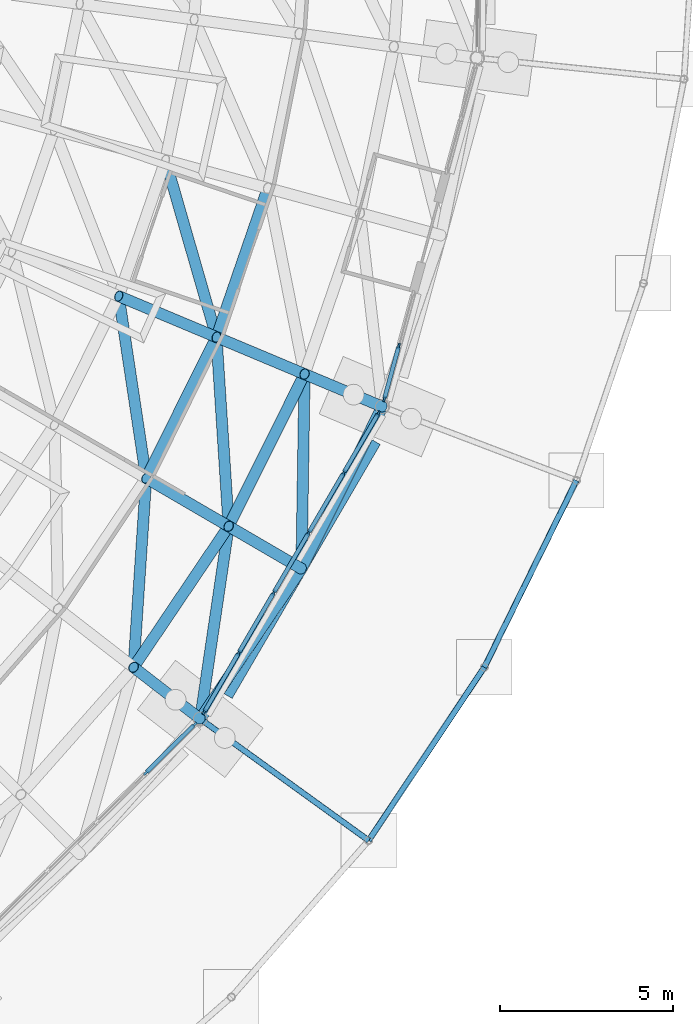
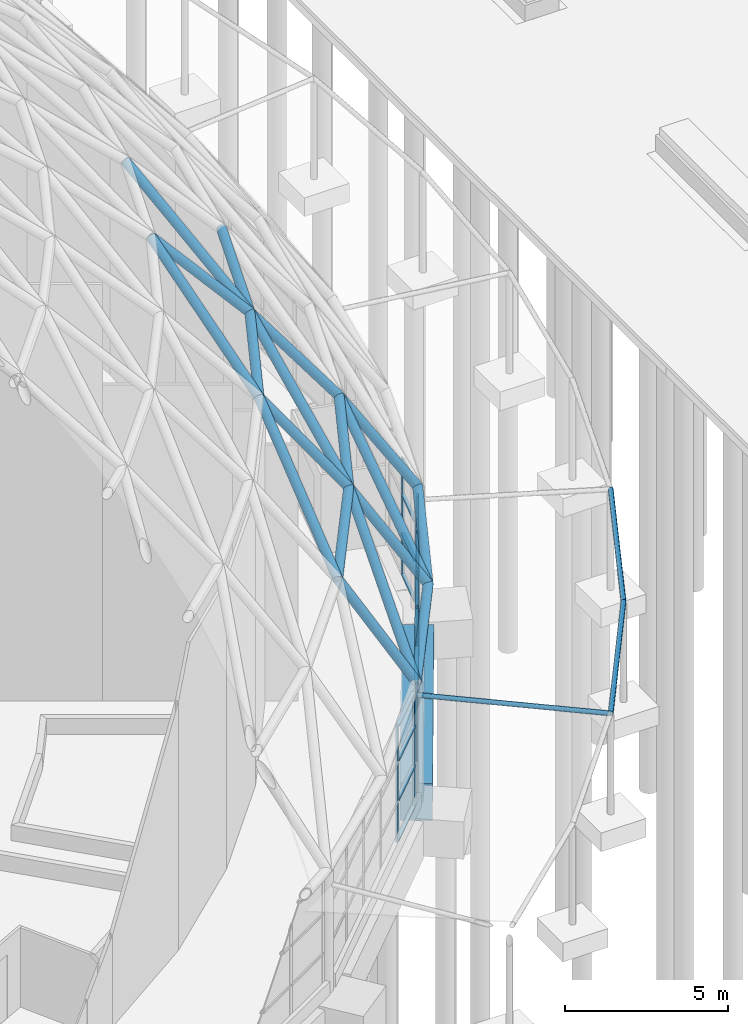
# One storey, part 105 of 226: 59 members, 1 beam, 3 elements without a shape of their own.
"""IFC4 building model written with IfcOpenShell, lengths in metres."""

from ifc_helpers import new_model, si_unit, direction, frame, origin, origin_2d, place, context, subcontext, project, spatial, rectangle, hollow_circle, extrude, material, material_profile, profile_set, type_object, element, aggregate, save


model = new_model("IFC4")

# Units and contexts
model_context = context("Model", 3, precision=1e-05, world=origin(), true_north=direction((0.0, 1.0)))
body_context = subcontext(model_context, "Body", "Model", "MODEL_VIEW")
ifc_project = project(units=[si_unit("LENGTHUNIT", "METRE"), si_unit("AREAUNIT", "SQUARE_METRE"), si_unit("VOLUMEUNIT", "CUBIC_METRE"), si_unit("PLANEANGLEUNIT", "RADIAN"), si_unit("MASSUNIT", "GRAM", prefix="KILO")], contexts=[model_context])

# Site, building, storey
site_placement = place(None, origin())
site = spatial("IfcSite", under=ifc_project, at=site_placement, CompositionType="ELEMENT")
building_placement = place(site_placement, origin())
building = spatial("IfcBuilding", under=site, at=building_placement, Name="Ceibo Conservatory and Research Tower", CompositionType="ELEMENT")
storey_placement = place(building_placement, origin())
storey = spatial("IfcBuildingStorey", under=building, at=storey_placement, Name="L00", CompositionType="ELEMENT", Elevation=0.0)

# Members
ifc_material_1 = material(Name="Steel ASTM A500 Gr C", Category="steel")
ifc_material_profile_1 = material_profile(ifc_material_1, hollow_circle(Radius=0.084228515625, WallThickness=0.007080078125, at=origin_2d()), Name="CHS 168.3x7.11")
ifc_profile_set_1 = profile_set([ifc_material_profile_1], Name="Steel ASTM A500 Gr C")
member_type_1 = type_object("IfcMemberType", Name="CHS 168.3x7.11", PredefinedType="NOTDEFINED", material=ifc_profile_set_1)
member_1_placement = place(storey_placement, frame((187.627685546875, 83.51123046875, 4.0), z_axis=(0.809882061204, -0.584831304318, -0.045424579563), x_axis=(0.585435607909, 0.810718908743, 0.0)))
element("IfcMember", 1, at=member_1_placement, inside=storey, type_object=member_type_1, Name="Brim brace bracket A-BK22", PredefinedType="BRACE", context=body_context, shape_type="SweptSolid", body=[
    extrude(hollow_circle(Radius=0.084228515625, WallThickness=0.007080078125, at=origin_2d()), origin(), (0.0, 0.0, 1.0), 6.0087890625),
])
for number, where, z_axis, x_axis, name in (
    (2, (192.494140625, 79.9970703125, 3.72705078125), (0.555587224201, 0.831453545486, -0.002799643502), (-0.831456803973, 0.555589401562, 0.0), "Brim tip ring A-TR26"),
    (3, (195.837158203125, 85.0, 3.710205078125), (0.44230371622, 0.896860961684, 0.00279964741), (-0.896864476514, 0.442305449624, 0.0), "Brim tip ring A-TR27"),
):
    element("IfcMember", number, at=place(storey_placement, frame(where, z_axis=z_axis, x_axis=x_axis)), inside=storey, type_object=member_type_1, Name=name, PredefinedType="CHORD", context=body_context, shape_type="SweptSolid", body=[
        extrude(hollow_circle(Radius=0.084228515625, WallThickness=0.007080078125, at=origin_2d()), origin(), (0.0, 0.0, 1.0), 6.01708984375),
    ])
ifc_material_profile_2 = material_profile(ifc_material_1, hollow_circle(Radius=0.161865234375, WallThickness=0.01025390625, at=origin_2d()), Name="CHS 323.9x10.31")
ifc_profile_set_2 = profile_set([ifc_material_profile_2], Name="Steel ASTM A500 Gr C")
member_type_2 = type_object("IfcMemberType", Name="CHS 323.9x10.31", PredefinedType="NOTDEFINED", material=ifc_profile_set_2)
member_2_placement = place(storey_placement, frame((185.701904296875, 85.001953125, 8.115966796875), z_axis=(0.559209169771, 0.829026600565, 0.0), x_axis=(-0.829026600565, 0.559209169771, 0.0)))
element("IfcMember", 4, at=member_2_placement, inside=storey, type_object=member_type_2, Name="Gridshell member A-C02-43", PredefinedType="CHORD", context=body_context, shape_type="SweptSolid", body=[
    extrude(hollow_circle(Radius=0.161865234375, WallThickness=0.01025390625, at=origin_2d()), origin(), (0.0, 0.0, 1.0), 4.9140625),
])
member_3_placement = place(storey_placement, frame((188.449951171875, 89.075927734375, 8.115966796875), z_axis=(0.446179714315, 0.8949433851, 0.0), x_axis=(-0.8949433851, 0.446179714315, 0.0)))
element("IfcMember", 5, at=member_3_placement, inside=storey, type_object=member_type_2, Name="Gridshell member A-C02-44", PredefinedType="CHORD", context=body_context, shape_type="SweptSolid", body=[
    extrude(hollow_circle(Radius=0.161865234375, WallThickness=0.01025390625, at=origin_2d()), origin(), (0.0, 0.0, 1.0), 4.9130859375),
])
member_4_placement = place(storey_placement, frame((186.06591796875, 90.466064453125, 11.489013671875), z_axis=(0.446076460537, 0.894994855491, 0.0), x_axis=(-0.894994855491, 0.446076460537, 0.0)))
element("IfcMember", 6, at=member_4_placement, inside=storey, type_object=member_type_2, Name="Gridshell member A-C03-44", PredefinedType="CHORD", context=body_context, shape_type="SweptSolid", body=[
    extrude(hollow_circle(Radius=0.161865234375, WallThickness=0.01025390625, at=origin_2d()), origin(), (0.0, 0.0, 1.0), 4.552978515625),
])
member_5_placement = place(storey_placement, frame((188.096923828125, 94.541015625, 11.489013671875), z_axis=(0.325608838812, 0.945504565873, 0.0), x_axis=(-0.945504565873, 0.325608838812, 0.0)))
element("IfcMember", 7, at=member_5_placement, inside=storey, type_object=member_type_2, Name="Gridshell member A-C03-45", PredefinedType="CHORD", context=body_context, shape_type="SweptSolid", body=[
    extrude(hollow_circle(Radius=0.161865234375, WallThickness=0.01025390625, at=origin_2d()), origin(), (0.0, 0.0, 1.0), 4.552001953125),
])
ifc_material_profile_3 = material_profile(ifc_material_1, hollow_circle(Radius=0.161865234375, WallThickness=0.01416015625, at=origin_2d()), Name="CHS 323.9x14.27")
ifc_profile_set_3 = profile_set([ifc_material_profile_3], Name="Steel ASTM A500 Gr C")
member_type_3 = type_object("IfcMemberType", Name="CHS 323.9x14.27", PredefinedType="NOTDEFINED", material=ifc_profile_set_3)
member_6_placement = place(storey_placement, frame((187.6279296875, 83.510986328125, 4.5), z_axis=(-0.441770187879, 0.341981307818, 0.829390068788), x_axis=(-0.612134780831, -0.790753444568, 0.0)))
element("IfcMember", 8, at=member_6_placement, inside=storey, type_object=member_type_3, Name="Gridshell member A-M43-01", PredefinedType="RAFTER", context=body_context, shape_type="SweptSolid", body=[
    extrude(hollow_circle(Radius=0.161865234375, WallThickness=0.01416015625, at=origin_2d()), origin(), (0.0, 0.0, 1.0), 4.35986328125),
])
member_7_placement = place(storey_placement, frame((190.552978515625, 87.84912109375, 4.5), z_axis=(-0.482429547235, 0.281426570102, 0.829494314384), x_axis=(-0.503883494942, -0.863771626951, 0.0)))
element("IfcMember", 9, at=member_7_placement, inside=storey, type_object=member_type_3, Name="Gridshell member A-M44-01", PredefinedType="RAFTER", context=body_context, shape_type="SweptSolid", body=[
    extrude(hollow_circle(Radius=0.161865234375, WallThickness=0.01416015625, at=origin_2d()), origin(), (0.0, 0.0, 1.0), 4.359130859375),
])
member_8_placement = place(storey_placement, frame((192.887939453125, 92.531982421875, 4.5), z_axis=(-0.515173818926, 0.215836492895, 0.829464010448), x_axis=(-0.386415837187, -0.922324672103, 0.0)))
element("IfcMember", 10, at=member_8_placement, inside=storey, type_object=member_type_3, Name="Gridshell member A-M45-01", PredefinedType="RAFTER", context=body_context, shape_type="SweptSolid", body=[
    extrude(hollow_circle(Radius=0.161865234375, WallThickness=0.01416015625, at=origin_2d()), origin(), (0.0, 0.0, 1.0), 4.359375),
])
member_9_placement = place(storey_placement, frame((188.449951171875, 89.075927734375, 8.115966796875), z_axis=(-0.547027734795, 0.318973468707, 0.773961616378), x_axis=(-0.503722506061, -0.863865520141, 0.0)))
element("IfcMember", 11, at=member_9_placement, inside=storey, type_object=member_type_3, Name="Gridshell member A-M44-02", PredefinedType="RAFTER", context=body_context, shape_type="SweptSolid", body=[
    extrude(hollow_circle(Radius=0.161865234375, WallThickness=0.01416015625, at=origin_2d()), origin(), (0.0, 0.0, 1.0), 4.358154296875),
])
member_10_placement = place(storey_placement, frame((190.64208984375, 93.472900390625, 8.115966796875), z_axis=(-0.583959752241, 0.245067042307, 0.773907715776), x_axis=(-0.386969313659, -0.92209259312, 0.0)))
element("IfcMember", 12, at=member_10_placement, inside=storey, type_object=member_type_3, Name="Gridshell member A-M45-02", PredefinedType="RAFTER", context=body_context, shape_type="SweptSolid", body=[
    extrude(hollow_circle(Radius=0.161865234375, WallThickness=0.01416015625, at=origin_2d()), origin(), (0.0, 0.0, 1.0), 4.3583984375),
])
member_11_placement = place(storey_placement, frame((188.096923828125, 94.541015625, 11.489013671875), z_axis=(-0.647870994768, 0.271649894063, 0.711666712158), x_axis=(-0.386680743983, -0.922213642402, 0.0)))
element("IfcMember", 13, at=member_11_placement, inside=storey, type_object=member_type_3, Name="Gridshell member A-M45-03", PredefinedType="RAFTER", context=body_context, shape_type="SweptSolid", body=[
    extrude(hollow_circle(Radius=0.161865234375, WallThickness=0.01416015625, at=origin_2d()), origin(), (0.0, 0.0, 1.0), 4.35888671875),
])
ifc_material_2 = material(Name="Steel S355J2H", Category="steel")
ifc_material_profile_4 = material_profile(ifc_material_2, hollow_circle(Radius=0.161865234375, WallThickness=0.025390625, at=origin_2d()), Name="CHS 323.9x25.40")
ifc_profile_set_4 = profile_set([ifc_material_profile_4], Name="Steel S355J2H")
member_type_4 = type_object("IfcMemberType", Name="CHS 323.9x25.40", PredefinedType="NOTDEFINED", material=ifc_profile_set_4)
member_12_placement = place(storey_placement, frame((187.6279296875, 83.510986328125, 4.5), z_axis=(0.55905364974, 0.829131483368, 0.0), x_axis=(-0.829131483368, 0.55905364974, 0.0)))
element("IfcMember", 14, at=member_12_placement, inside=storey, type_object=member_type_4, Name="Gridshell member A-C01-43", PredefinedType="CHORD", context=body_context, shape_type="SweptSolid", body=[
    extrude(hollow_circle(Radius=0.161865234375, WallThickness=0.025390625, at=origin_2d()), origin(), (0.0, 0.0, 1.0), 5.232177734375),
])
member_13_placement = place(storey_placement, frame((190.552978515625, 87.84912109375, 4.5), z_axis=(0.446224201059, 0.89492120457, 0.0), x_axis=(-0.89492120457, 0.446224201059, 0.0)))
element("IfcMember", 15, at=member_13_placement, inside=storey, type_object=member_type_4, Name="Gridshell member A-C01-44", PredefinedType="CHORD", context=body_context, shape_type="SweptSolid", body=[
    extrude(hollow_circle(Radius=0.161865234375, WallThickness=0.025390625, at=origin_2d()), origin(), (0.0, 0.0, 1.0), 5.232666015625),
])
ifc_material_profile_5 = material_profile(ifc_material_1, hollow_circle(Radius=0.161865234375, WallThickness=0.00830078125, at=origin_2d()), Name="CHS 323.9x8.38")
ifc_profile_set_5 = profile_set([ifc_material_profile_5], Name="Steel ASTM A500 Gr C")
member_type_5 = type_object("IfcMemberType", Name="CHS 323.9x8.38", PredefinedType="NOTDEFINED", material=ifc_profile_set_5)
member_14_placement = place(storey_placement, frame((187.6279296875, 83.510986328125, 4.5), z_axis=(0.122923427068, 0.832170061354, 0.540724347579), x_axis=(-0.989265589959, 0.146128684803, 0.0)))
element("IfcMember", 16, at=member_14_placement, inside=storey, type_object=member_type_5, Name="Gridshell diagonal member A-D01-43", PredefinedType="BRACE", context=body_context, shape_type="SweptSolid", body=[
    extrude(hollow_circle(Radius=0.161865234375, WallThickness=0.00830078125, at=origin_2d()), origin(), (0.0, 0.0, 1.0), 6.687255859375),
])
member_15_placement = place(storey_placement, frame((190.552978515625, 87.84912109375, 4.5), z_axis=(0.013326936774, 0.84105750298, 0.540781535777), x_axis=(-0.999874484452, 0.015843463722, 0.0)))
element("IfcMember", 17, at=member_15_placement, inside=storey, type_object=member_type_5, Name="Gridshell diagonal member A-D01-44", PredefinedType="BRACE", context=body_context, shape_type="SweptSolid", body=[
    extrude(hollow_circle(Radius=0.161865234375, WallThickness=0.00830078125, at=origin_2d()), origin(), (0.0, 0.0, 1.0), 6.6865234375),
])
member_16_placement = place(storey_placement, frame((185.701904296875, 85.001953125, 8.115966796875), z_axis=(0.056597011166, 0.84956251301, 0.524442861344), x_axis=(-0.997788312977, 0.0664716668, 0.0)))
element("IfcMember", 18, at=member_16_placement, inside=storey, type_object=member_type_5, Name="Gridshell diagonal member A-D02-43", PredefinedType="BRACE", context=body_context, shape_type="SweptSolid", body=[
    extrude(hollow_circle(Radius=0.161865234375, WallThickness=0.00830078125, at=origin_2d()), origin(), (0.0, 0.0, 1.0), 6.431640625),
])
member_17_placement = place(storey_placement, frame((188.449951171875, 89.075927734375, 8.115966796875), z_axis=(-0.054886997372, 0.849685640512, 0.524425142252), x_axis=(-0.997920131711, -0.064462475339, 0.0)))
element("IfcMember", 19, at=member_17_placement, inside=storey, type_object=member_type_5, Name="Gridshell diagonal member A-D02-44", PredefinedType="BRACE", context=body_context, shape_type="SweptSolid", body=[
    extrude(hollow_circle(Radius=0.161865234375, WallThickness=0.00830078125, at=origin_2d()), origin(), (0.0, 0.0, 1.0), 6.431884765625),
])
member_18_placement = place(storey_placement, frame((186.06591796875, 90.466064453125, 11.489013671875), z_axis=(-0.128790907141, 0.854151764388, 0.50382304992), x_axis=(-0.988822593727, -0.149096875002, 0.0)))
element("IfcMember", 20, at=member_18_placement, inside=storey, type_object=member_type_5, Name="Gridshell diagonal member A-D03-44", PredefinedType="BRACE", context=body_context, shape_type="SweptSolid", body=[
    extrude(hollow_circle(Radius=0.161865234375, WallThickness=0.00830078125, at=origin_2d()), origin(), (0.0, 0.0, 1.0), 6.156982421875),
])
member_19_placement = place(storey_placement, frame((188.096923828125, 94.541015625, 11.489013671875), z_axis=(-0.239092435842, 0.830022339055, 0.503882648831), x_axis=(-0.960927447559, -0.276800362223, 0.0)))
element("IfcMember", 21, at=member_19_placement, inside=storey, type_object=member_type_5, Name="Gridshell diagonal member A-D03-45", PredefinedType="BRACE", context=body_context, shape_type="SweptSolid", body=[
    extrude(hollow_circle(Radius=0.161865234375, WallThickness=0.00830078125, at=origin_2d()), origin(), (0.0, 0.0, 1.0), 6.15625),
])

# Curtain wall, members
ifc_material_3 = material(Name="Aluminium and glass", Category="aluminium")
curtain_wall_type = type_object("IfcCurtainWallType", Name="Drum curtain wall", PredefinedType="NOTDEFINED", material=ifc_material_3)
curtain_wall_1_placement = place(storey_placement, origin())
curtain_wall_1 = element("IfcCurtainWall", 22, at=curtain_wall_1_placement, inside=storey, type_object=curtain_wall_type, Name="Drum curtain wall A-CW21", PredefinedType="NOTDEFINED")
ifc_material_4 = material(Name="Aluminium", Category="aluminium")
ifc_material_profile_6 = material_profile(ifc_material_4, rectangle(XDim=0.06005859375, YDim=0.159912109375, at=origin_2d()), Name="AL 60x160")
ifc_profile_set_6 = profile_set([ifc_material_profile_6], Name="Aluminium")
member_type_6 = type_object("IfcMemberType", Name="Drum mullion 60x160", PredefinedType="MULLION", material=ifc_profile_set_6)
member_20_placement = place(storey_placement, frame((186.057861328125, 81.955078125, 0.0), z_axis=(0.0, 0.0, 1.0), x_axis=(-0.704014749779, 0.71018535052, 0.0)))
member_20 = element("IfcMember", 23, at=member_20_placement, type_object=member_type_6, Name="A-CW21 mullion 5", PredefinedType="MULLION", context=body_context, shape_type="SweptSolid", body=[
    extrude(rectangle(XDim=0.06005859375, YDim=0.159912109375, at=origin_2d()), origin(), (0.0, 0.0, 1.0), 4.338134765625),
])
member_21_placement = place(storey_placement, frame((187.4619140625, 83.34716796875, 0.0), z_axis=(0.0, 0.0, 1.0), x_axis=(-0.704014749779, 0.71018535052, 0.0)))
member_21 = element("IfcMember", 24, at=member_21_placement, type_object=member_type_6, Name="A-CW21 mullion 6", PredefinedType="MULLION", context=body_context, shape_type="SweptSolid", body=[
    extrude(rectangle(XDim=0.06005859375, YDim=0.159912109375, at=origin_2d()), origin(), (0.0, 0.0, 1.0), 4.338134765625),
])

curtain_wall_2_placement = place(storey_placement, origin())
curtain_wall_2 = element("IfcCurtainWall", 25, at=curtain_wall_2_placement, inside=storey, type_object=curtain_wall_type, Name="Drum curtain wall A-CW22", PredefinedType="NOTDEFINED")
member_22_placement = place(storey_placement, frame((187.7451171875, 83.712646484375, 0.0), z_axis=(0.0, 0.0, 1.0), x_axis=(-0.863835508167, 0.503773971965, 0.0)))
member_22 = element("IfcMember", 26, at=member_22_placement, type_object=member_type_6, Name="A-CW22 mullion 1", PredefinedType="MULLION", context=body_context, shape_type="SweptSolid", body=[
    extrude(rectangle(XDim=0.06005859375, YDim=0.159912109375, at=origin_2d()), origin(), (0.0, 0.0, 1.0), 4.338134765625),
])
member_23_placement = place(storey_placement, frame((188.7412109375, 85.420654296875, 0.0), z_axis=(0.0, 0.0, 1.0), x_axis=(-0.863835508167, 0.503773971965, 0.0)))
member_23 = element("IfcMember", 27, at=member_23_placement, type_object=member_type_6, Name="A-CW22 mullion 2", PredefinedType="MULLION", context=body_context, shape_type="SweptSolid", body=[
    extrude(rectangle(XDim=0.06005859375, YDim=0.159912109375, at=origin_2d()), origin(), (0.0, 0.0, 1.0), 4.338134765625),
])
member_24_placement = place(storey_placement, frame((189.752197265625, 87.154541015625, 0.0), z_axis=(0.0, 0.0, 1.0), x_axis=(-0.863835508167, 0.503773971965, 0.0)))
member_24 = element("IfcMember", 28, at=member_24_placement, type_object=member_type_6, Name="A-CW22 mullion 3", PredefinedType="MULLION", context=body_context, shape_type="SweptSolid", body=[
    extrude(rectangle(XDim=0.06005859375, YDim=0.159912109375, at=origin_2d()), origin(), (0.0, 0.0, 1.0), 4.338134765625),
])
member_25_placement = place(storey_placement, frame((190.763427734375, 88.888427734375, 0.0), z_axis=(0.0, 0.0, 1.0), x_axis=(-0.863835508167, 0.503773971965, 0.0)))
member_25 = element("IfcMember", 29, at=member_25_placement, type_object=member_type_6, Name="A-CW22 mullion 4", PredefinedType="MULLION", context=body_context, shape_type="SweptSolid", body=[
    extrude(rectangle(XDim=0.06005859375, YDim=0.159912109375, at=origin_2d()), origin(), (0.0, 0.0, 1.0), 4.338134765625),
])
member_26_placement = place(storey_placement, frame((191.7744140625, 90.622314453125, 0.0), z_axis=(0.0, 0.0, 1.0), x_axis=(-0.863835508167, 0.503773971965, 0.0)))
member_26 = element("IfcMember", 30, at=member_26_placement, type_object=member_type_6, Name="A-CW22 mullion 5", PredefinedType="MULLION", context=body_context, shape_type="SweptSolid", body=[
    extrude(rectangle(XDim=0.06005859375, YDim=0.159912109375, at=origin_2d()), origin(), (0.0, 0.0, 1.0), 4.338134765625),
])
member_27_placement = place(storey_placement, frame((192.7705078125, 92.330078125, 0.0), z_axis=(0.0, 0.0, 1.0), x_axis=(-0.863835508167, 0.503773971965, 0.0)))
member_27 = element("IfcMember", 31, at=member_27_placement, type_object=member_type_6, Name="A-CW22 mullion 6", PredefinedType="MULLION", context=body_context, shape_type="SweptSolid", body=[
    extrude(rectangle(XDim=0.06005859375, YDim=0.159912109375, at=origin_2d()), origin(), (0.0, 0.0, 1.0), 4.338134765625),
])

curtain_wall_3_placement = place(storey_placement, origin())
curtain_wall_3 = element("IfcCurtainWall", 32, at=curtain_wall_3_placement, inside=storey, type_object=curtain_wall_type, Name="Drum curtain wall A-CW23W", PredefinedType="NOTDEFINED")
member_28_placement = place(storey_placement, frame((192.949462890625, 92.756591796875, 0.0), z_axis=(0.0, 0.0, 1.0), x_axis=(-0.964787322837, 0.263031218095, 0.0)))
member_28 = element("IfcMember", 33, at=member_28_placement, type_object=member_type_6, Name="A-CW23W mullion 1", PredefinedType="MULLION", context=body_context, shape_type="SweptSolid", body=[
    extrude(rectangle(XDim=0.06005859375, YDim=0.159912109375, at=origin_2d()), origin(), (0.0, 0.0, 1.0), 4.338134765625),
])
member_29_placement = place(storey_placement, frame((193.36474609375, 94.27978515625, 0.0), z_axis=(0.0, 0.0, 1.0), x_axis=(-0.964787322837, 0.263031218095, 0.0)))
member_29 = element("IfcMember", 34, at=member_29_placement, type_object=member_type_6, Name="A-CW23W mullion 2", PredefinedType="MULLION", context=body_context, shape_type="SweptSolid", body=[
    extrude(rectangle(XDim=0.06005859375, YDim=0.159912109375, at=origin_2d()), origin(), (0.0, 0.0, 1.0), 4.338134765625),
])

# Member
ifc_material_profile_7 = material_profile(ifc_material_4, rectangle(XDim=0.1201171875, YDim=0.06005859375, at=origin_2d()), Name="AL 60x120")
ifc_profile_set_7 = profile_set([ifc_material_profile_7], Name="Aluminium")
member_type_7 = type_object("IfcMemberType", Name="Drum transom 60x120", PredefinedType="USERDEFINED", material=ifc_profile_set_7)
member_30_placement = place(storey_placement, frame((186.0791015625, 81.976318359375, 0.030029296875), z_axis=(0.710219924339, 0.703979871212, 0.0), x_axis=(-0.703979871212, 0.710219924339, 0.0)))
member_30 = element("IfcMember", 35, at=member_30_placement, type_object=member_type_7, Name="A-CW21 transom 5.1", ObjectType="TRANSOM", PredefinedType="USERDEFINED", context=body_context, shape_type="SweptSolid", body=[
    extrude(rectangle(XDim=0.1201171875, YDim=0.06005859375, at=origin_2d()), origin(), (0.0, 0.0, 1.0), 1.9169921875),
])

member_31_placement = place(storey_placement, frame((186.0791015625, 81.976318359375, 1.530029296875), z_axis=(0.710219924339, 0.703979871212, 0.0), x_axis=(-0.703979871212, 0.710219924339, 0.0)))
member_31 = element("IfcMember", 36, at=member_31_placement, type_object=member_type_7, Name="A-CW21 transom 5.2", ObjectType="TRANSOM", PredefinedType="USERDEFINED", context=body_context, shape_type="SweptSolid", body=[
    extrude(rectangle(XDim=0.1201171875, YDim=0.06005859375, at=origin_2d()), origin(), (0.0, 0.0, 1.0), 1.9169921875),
])

member_32_placement = place(storey_placement, frame((186.0791015625, 81.976318359375, 3.014892578125), z_axis=(0.710219924339, 0.703979871212, 0.0), x_axis=(-0.703979871212, 0.710219924339, 0.0)))
member_32 = element("IfcMember", 37, at=member_32_placement, type_object=member_type_7, Name="A-CW21 transom 5.3", ObjectType="TRANSOM", PredefinedType="USERDEFINED", context=body_context, shape_type="SweptSolid", body=[
    extrude(rectangle(XDim=0.1201171875, YDim=0.06005859375, at=origin_2d()), origin(), (0.0, 0.0, 1.0), 1.9169921875),
])

member_33_placement = place(storey_placement, frame((186.0791015625, 81.976318359375, 4.30810546875), z_axis=(0.710219924339, 0.703979871212, 0.0), x_axis=(-0.703979871212, 0.710219924339, 0.0)))
member_33 = element("IfcMember", 38, at=member_33_placement, type_object=member_type_7, Name="A-CW21 transom 5.4", ObjectType="TRANSOM", PredefinedType="USERDEFINED", context=body_context, shape_type="SweptSolid", body=[
    extrude(rectangle(XDim=0.1201171875, YDim=0.06005859375, at=origin_2d()), origin(), (0.0, 0.0, 1.0), 1.9169921875),
])

aggregate(curtain_wall_1, [member_20, member_21, member_30, member_31, member_32, member_33])

member_34_placement = place(storey_placement, frame((187.76025390625, 83.73876953125, 0.030029296875), z_axis=(0.50379976015, 0.863820468427, 0.0), x_axis=(-0.863820468427, 0.50379976015, 0.0)))
member_34 = element("IfcMember", 39, at=member_34_placement, type_object=member_type_7, Name="A-CW22 transom 1.1", ObjectType="TRANSOM", PredefinedType="USERDEFINED", context=body_context, shape_type="SweptSolid", body=[
    extrude(rectangle(XDim=0.1201171875, YDim=0.06005859375, at=origin_2d()), origin(), (0.0, 0.0, 1.0), 1.9169921875),
])

member_35_placement = place(storey_placement, frame((187.76025390625, 83.73876953125, 1.530029296875), z_axis=(0.50379976015, 0.863820468427, 0.0), x_axis=(-0.863820468427, 0.50379976015, 0.0)))
member_35 = element("IfcMember", 40, at=member_35_placement, type_object=member_type_7, Name="A-CW22 transom 1.2", ObjectType="TRANSOM", PredefinedType="USERDEFINED", context=body_context, shape_type="SweptSolid", body=[
    extrude(rectangle(XDim=0.1201171875, YDim=0.06005859375, at=origin_2d()), origin(), (0.0, 0.0, 1.0), 1.9169921875),
])

member_36_placement = place(storey_placement, frame((187.76025390625, 83.73876953125, 3.014892578125), z_axis=(0.50379976015, 0.863820468427, 0.0), x_axis=(-0.863820468427, 0.50379976015, 0.0)))
member_36 = element("IfcMember", 41, at=member_36_placement, type_object=member_type_7, Name="A-CW22 transom 1.3", ObjectType="TRANSOM", PredefinedType="USERDEFINED", context=body_context, shape_type="SweptSolid", body=[
    extrude(rectangle(XDim=0.1201171875, YDim=0.06005859375, at=origin_2d()), origin(), (0.0, 0.0, 1.0), 1.9169921875),
])

member_37_placement = place(storey_placement, frame((187.76025390625, 83.73876953125, 4.30810546875), z_axis=(0.50379976015, 0.863820468427, 0.0), x_axis=(-0.863820468427, 0.50379976015, 0.0)))
member_37 = element("IfcMember", 42, at=member_37_placement, type_object=member_type_7, Name="A-CW22 transom 1.4", ObjectType="TRANSOM", PredefinedType="USERDEFINED", context=body_context, shape_type="SweptSolid", body=[
    extrude(rectangle(XDim=0.1201171875, YDim=0.06005859375, at=origin_2d()), origin(), (0.0, 0.0, 1.0), 1.9169921875),
])

member_38_placement = place(storey_placement, frame((188.756103515625, 85.446533203125, 0.030029296875), z_axis=(0.503761885675, 0.86384255657, 0.0), x_axis=(-0.86384255657, 0.503761885675, 0.0)))
member_38 = element("IfcMember", 43, at=member_38_placement, type_object=member_type_7, Name="A-CW22 transom 2.1", ObjectType="TRANSOM", PredefinedType="USERDEFINED", context=body_context, shape_type="SweptSolid", body=[
    extrude(rectangle(XDim=0.1201171875, YDim=0.06005859375, at=origin_2d()), origin(), (0.0, 0.0, 1.0), 1.947265625),
])

member_39_placement = place(storey_placement, frame((188.756103515625, 85.446533203125, 1.530029296875), z_axis=(0.503761885675, 0.86384255657, 0.0), x_axis=(-0.86384255657, 0.503761885675, 0.0)))
member_39 = element("IfcMember", 44, at=member_39_placement, type_object=member_type_7, Name="A-CW22 transom 2.2", ObjectType="TRANSOM", PredefinedType="USERDEFINED", context=body_context, shape_type="SweptSolid", body=[
    extrude(rectangle(XDim=0.1201171875, YDim=0.06005859375, at=origin_2d()), origin(), (0.0, 0.0, 1.0), 1.947265625),
])

member_40_placement = place(storey_placement, frame((188.756103515625, 85.446533203125, 3.014892578125), z_axis=(0.503761885675, 0.86384255657, 0.0), x_axis=(-0.86384255657, 0.503761885675, 0.0)))
member_40 = element("IfcMember", 45, at=member_40_placement, type_object=member_type_7, Name="A-CW22 transom 2.3", ObjectType="TRANSOM", PredefinedType="USERDEFINED", context=body_context, shape_type="SweptSolid", body=[
    extrude(rectangle(XDim=0.1201171875, YDim=0.06005859375, at=origin_2d()), origin(), (0.0, 0.0, 1.0), 1.947265625),
])

member_41_placement = place(storey_placement, frame((188.756103515625, 85.446533203125, 4.30810546875), z_axis=(0.503761885675, 0.86384255657, 0.0), x_axis=(-0.86384255657, 0.503761885675, 0.0)))
member_41 = element("IfcMember", 46, at=member_41_placement, type_object=member_type_7, Name="A-CW22 transom 2.4", ObjectType="TRANSOM", PredefinedType="USERDEFINED", context=body_context, shape_type="SweptSolid", body=[
    extrude(rectangle(XDim=0.1201171875, YDim=0.06005859375, at=origin_2d()), origin(), (0.0, 0.0, 1.0), 1.947265625),
])

member_42_placement = place(storey_placement, frame((189.767333984375, 87.180419921875, 0.030029296875), z_axis=(0.503761885675, 0.86384255657, 0.0), x_axis=(-0.86384255657, 0.503761885675, 0.0)))
member_42 = element("IfcMember", 47, at=member_42_placement, type_object=member_type_7, Name="A-CW22 transom 3.1", ObjectType="TRANSOM", PredefinedType="USERDEFINED", context=body_context, shape_type="SweptSolid", body=[
    extrude(rectangle(XDim=0.1201171875, YDim=0.06005859375, at=origin_2d()), origin(), (0.0, 0.0, 1.0), 1.947265625),
])

member_43_placement = place(storey_placement, frame((189.767333984375, 87.180419921875, 1.530029296875), z_axis=(0.503761885675, 0.86384255657, 0.0), x_axis=(-0.86384255657, 0.503761885675, 0.0)))
member_43 = element("IfcMember", 48, at=member_43_placement, type_object=member_type_7, Name="A-CW22 transom 3.2", ObjectType="TRANSOM", PredefinedType="USERDEFINED", context=body_context, shape_type="SweptSolid", body=[
    extrude(rectangle(XDim=0.1201171875, YDim=0.06005859375, at=origin_2d()), origin(), (0.0, 0.0, 1.0), 1.947265625),
])

member_44_placement = place(storey_placement, frame((189.767333984375, 87.180419921875, 3.014892578125), z_axis=(0.503761885675, 0.86384255657, 0.0), x_axis=(-0.86384255657, 0.503761885675, 0.0)))
member_44 = element("IfcMember", 49, at=member_44_placement, type_object=member_type_7, Name="A-CW22 transom 3.3", ObjectType="TRANSOM", PredefinedType="USERDEFINED", context=body_context, shape_type="SweptSolid", body=[
    extrude(rectangle(XDim=0.1201171875, YDim=0.06005859375, at=origin_2d()), origin(), (0.0, 0.0, 1.0), 1.947265625),
])

member_45_placement = place(storey_placement, frame((189.767333984375, 87.180419921875, 4.30810546875), z_axis=(0.503761885675, 0.86384255657, 0.0), x_axis=(-0.86384255657, 0.503761885675, 0.0)))
member_45 = element("IfcMember", 50, at=member_45_placement, type_object=member_type_7, Name="A-CW22 transom 3.4", ObjectType="TRANSOM", PredefinedType="USERDEFINED", context=body_context, shape_type="SweptSolid", body=[
    extrude(rectangle(XDim=0.1201171875, YDim=0.06005859375, at=origin_2d()), origin(), (0.0, 0.0, 1.0), 1.947265625),
])

member_46_placement = place(storey_placement, frame((190.778564453125, 88.914306640625, 0.030029296875), z_axis=(0.503816450694, 0.863810733905, 0.0), x_axis=(-0.863810733905, 0.503816450694, 0.0)))
member_46 = element("IfcMember", 51, at=member_46_placement, type_object=member_type_7, Name="A-CW22 transom 4.1", ObjectType="TRANSOM", PredefinedType="USERDEFINED", context=body_context, shape_type="SweptSolid", body=[
    extrude(rectangle(XDim=0.1201171875, YDim=0.06005859375, at=origin_2d()), origin(), (0.0, 0.0, 1.0), 1.947021484375),
])

member_47_placement = place(storey_placement, frame((190.778564453125, 88.914306640625, 1.530029296875), z_axis=(0.503816450694, 0.863810733905, 0.0), x_axis=(-0.863810733905, 0.503816450694, 0.0)))
member_47 = element("IfcMember", 52, at=member_47_placement, type_object=member_type_7, Name="A-CW22 transom 4.2", ObjectType="TRANSOM", PredefinedType="USERDEFINED", context=body_context, shape_type="SweptSolid", body=[
    extrude(rectangle(XDim=0.1201171875, YDim=0.06005859375, at=origin_2d()), origin(), (0.0, 0.0, 1.0), 1.947021484375),
])

member_48_placement = place(storey_placement, frame((190.778564453125, 88.914306640625, 3.014892578125), z_axis=(0.503816450694, 0.863810733905, 0.0), x_axis=(-0.863810733905, 0.503816450694, 0.0)))
member_48 = element("IfcMember", 53, at=member_48_placement, type_object=member_type_7, Name="A-CW22 transom 4.3", ObjectType="TRANSOM", PredefinedType="USERDEFINED", context=body_context, shape_type="SweptSolid", body=[
    extrude(rectangle(XDim=0.1201171875, YDim=0.06005859375, at=origin_2d()), origin(), (0.0, 0.0, 1.0), 1.947021484375),
])

member_49_placement = place(storey_placement, frame((190.778564453125, 88.914306640625, 4.30810546875), z_axis=(0.503816450694, 0.863810733905, 0.0), x_axis=(-0.863810733905, 0.503816450694, 0.0)))
member_49 = element("IfcMember", 54, at=member_49_placement, type_object=member_type_7, Name="A-CW22 transom 4.4", ObjectType="TRANSOM", PredefinedType="USERDEFINED", context=body_context, shape_type="SweptSolid", body=[
    extrude(rectangle(XDim=0.1201171875, YDim=0.06005859375, at=origin_2d()), origin(), (0.0, 0.0, 1.0), 1.947021484375),
])

member_50_placement = place(storey_placement, frame((191.78955078125, 90.648193359375, 0.030029296875), z_axis=(0.50379976015, 0.863820468427, 0.0), x_axis=(-0.863820468427, 0.50379976015, 0.0)))
member_50 = element("IfcMember", 55, at=member_50_placement, type_object=member_type_7, Name="A-CW22 transom 5.1", ObjectType="TRANSOM", PredefinedType="USERDEFINED", context=body_context, shape_type="SweptSolid", body=[
    extrude(rectangle(XDim=0.1201171875, YDim=0.06005859375, at=origin_2d()), origin(), (0.0, 0.0, 1.0), 1.9169921875),
])

member_51_placement = place(storey_placement, frame((191.78955078125, 90.648193359375, 1.530029296875), z_axis=(0.50379976015, 0.863820468427, 0.0), x_axis=(-0.863820468427, 0.50379976015, 0.0)))
member_51 = element("IfcMember", 56, at=member_51_placement, type_object=member_type_7, Name="A-CW22 transom 5.2", ObjectType="TRANSOM", PredefinedType="USERDEFINED", context=body_context, shape_type="SweptSolid", body=[
    extrude(rectangle(XDim=0.1201171875, YDim=0.06005859375, at=origin_2d()), origin(), (0.0, 0.0, 1.0), 1.9169921875),
])

member_52_placement = place(storey_placement, frame((191.78955078125, 90.648193359375, 3.014892578125), z_axis=(0.50379976015, 0.863820468427, 0.0), x_axis=(-0.863820468427, 0.50379976015, 0.0)))
member_52 = element("IfcMember", 57, at=member_52_placement, type_object=member_type_7, Name="A-CW22 transom 5.3", ObjectType="TRANSOM", PredefinedType="USERDEFINED", context=body_context, shape_type="SweptSolid", body=[
    extrude(rectangle(XDim=0.1201171875, YDim=0.06005859375, at=origin_2d()), origin(), (0.0, 0.0, 1.0), 1.9169921875),
])

member_53_placement = place(storey_placement, frame((191.78955078125, 90.648193359375, 4.30810546875), z_axis=(0.50379976015, 0.863820468427, 0.0), x_axis=(-0.863820468427, 0.50379976015, 0.0)))
member_53 = element("IfcMember", 58, at=member_53_placement, type_object=member_type_7, Name="A-CW22 transom 5.4", ObjectType="TRANSOM", PredefinedType="USERDEFINED", context=body_context, shape_type="SweptSolid", body=[
    extrude(rectangle(XDim=0.1201171875, YDim=0.06005859375, at=origin_2d()), origin(), (0.0, 0.0, 1.0), 1.9169921875),
])

aggregate(curtain_wall_2, [member_22, member_23, member_24, member_25, member_26, member_27, member_34, member_35, member_36, member_37, member_38, member_39, member_40, member_41, member_42, member_43, member_44, member_45, member_46, member_47, member_48, member_49, member_50, member_51, member_52, member_53])

member_54_placement = place(storey_placement, frame((192.957275390625, 92.785400390625, 0.030029296875), z_axis=(0.262940607567, 0.964812021532, 0.0), x_axis=(-0.964812021532, 0.262940607567, 0.0)))
member_54 = element("IfcMember", 59, at=member_54_placement, type_object=member_type_7, Name="A-CW23W transom 1.1", ObjectType="TRANSOM", PredefinedType="USERDEFINED", context=body_context, shape_type="SweptSolid", body=[
    extrude(rectangle(XDim=0.1201171875, YDim=0.06005859375, at=origin_2d()), origin(), (0.0, 0.0, 1.0), 1.51904296875),
])

member_55_placement = place(storey_placement, frame((192.957275390625, 92.785400390625, 1.530029296875), z_axis=(0.262940607567, 0.964812021532, 0.0), x_axis=(-0.964812021532, 0.262940607567, 0.0)))
member_55 = element("IfcMember", 60, at=member_55_placement, type_object=member_type_7, Name="A-CW23W transom 1.2", ObjectType="TRANSOM", PredefinedType="USERDEFINED", context=body_context, shape_type="SweptSolid", body=[
    extrude(rectangle(XDim=0.1201171875, YDim=0.06005859375, at=origin_2d()), origin(), (0.0, 0.0, 1.0), 1.51904296875),
])

member_56_placement = place(storey_placement, frame((192.957275390625, 92.785400390625, 3.014892578125), z_axis=(0.262940607567, 0.964812021532, 0.0), x_axis=(-0.964812021532, 0.262940607567, 0.0)))
member_56 = element("IfcMember", 61, at=member_56_placement, type_object=member_type_7, Name="A-CW23W transom 1.3", ObjectType="TRANSOM", PredefinedType="USERDEFINED", context=body_context, shape_type="SweptSolid", body=[
    extrude(rectangle(XDim=0.1201171875, YDim=0.06005859375, at=origin_2d()), origin(), (0.0, 0.0, 1.0), 1.51904296875),
])

member_57_placement = place(storey_placement, frame((192.957275390625, 92.785400390625, 4.30810546875), z_axis=(0.262940607567, 0.964812021532, 0.0), x_axis=(-0.964812021532, 0.262940607567, 0.0)))
member_57 = element("IfcMember", 62, at=member_57_placement, type_object=member_type_7, Name="A-CW23W transom 1.4", ObjectType="TRANSOM", PredefinedType="USERDEFINED", context=body_context, shape_type="SweptSolid", body=[
    extrude(rectangle(XDim=0.1201171875, YDim=0.06005859375, at=origin_2d()), origin(), (0.0, 0.0, 1.0), 1.51904296875),
])

aggregate(curtain_wall_3, [member_28, member_29, member_54, member_55, member_56, member_57])

# Beam
ifc_material_5 = material(Name="Concrete C35/45", Category="concrete")
ifc_material_profile_8 = material_profile(ifc_material_5, rectangle(XDim=1.0, YDim=1.39990234375, at=origin_2d()), Name="RC 1000x1400")
ifc_profile_set_8 = profile_set([ifc_material_profile_8], Name="Concrete C35/45")
beam_type = type_object("IfcBeamType", Name="RC ring beam 1000x1400", PredefinedType="BEAM", material=ifc_profile_set_8)
beam_placement = place(storey_placement, frame((188.11865234375, 84.353271484375, -0.699951171875), z_axis=(0.503760204416, 0.863843537018, 0.0), x_axis=(-0.863843537018, 0.503760204416, 0.0)))
element("IfcBeam", 63, at=beam_placement, inside=storey, type_object=beam_type, Name="Drum ring beam A-RB22", PredefinedType="BEAM", context=body_context, shape_type="SweptSolid", body=[
    extrude(rectangle(XDim=1.0, YDim=1.39990234375, at=origin_2d()), origin(), (0.0, 0.0, 1.0), 8.49267578125),
])

save(model, "model.ifc")
